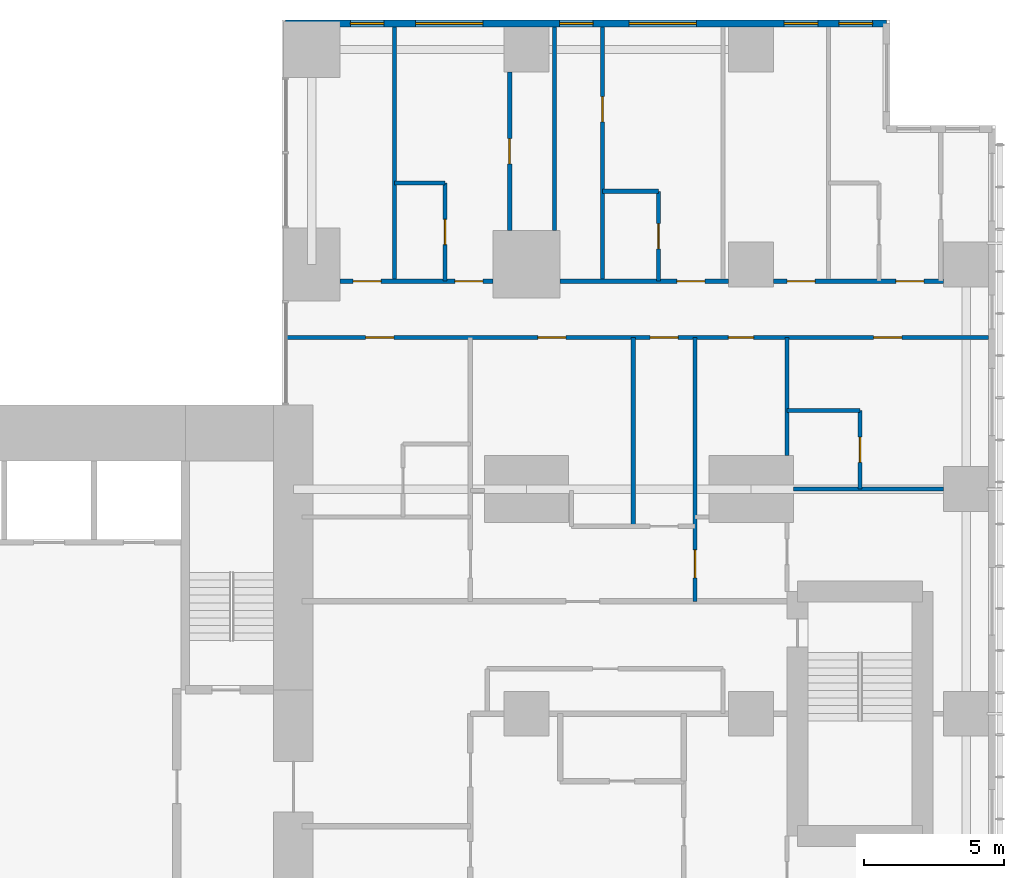
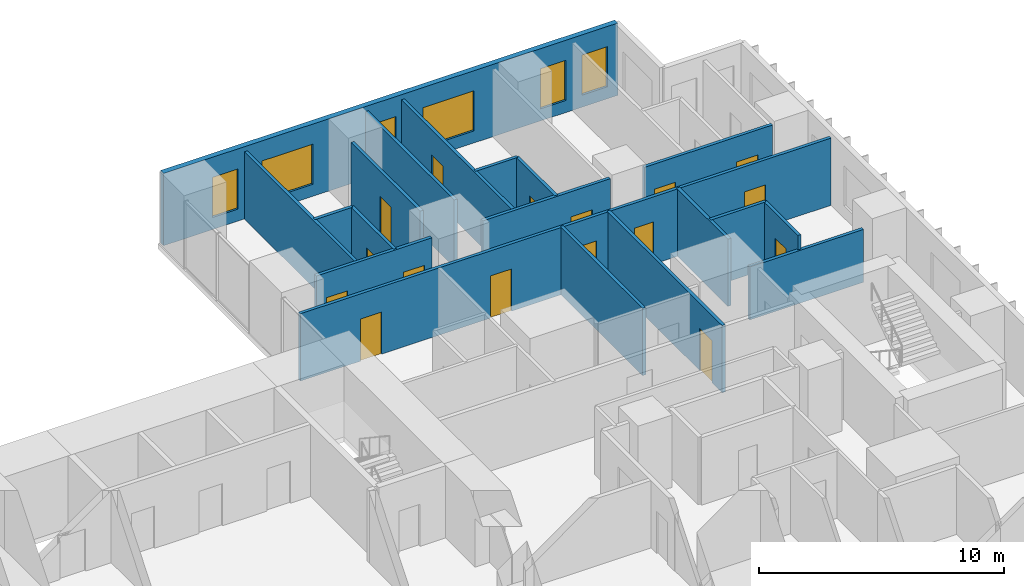
# One storey, part 10 of 12: 19 walls, 16 doors, 6 windows, 22 openings.
"""IFC4 building model written with IfcOpenShell, lengths in metres."""

from ifc_helpers import new_model, si_unit, direction, frame, frame_2d, origin, place, context, subcontext, project, spatial, rectangle, extrude, material, layer, layer_set, type_object, element, fill, save


model = new_model("IFC4")

# Units and contexts
model_context = context("Model", 3, precision=1e-05, world=origin(), true_north=direction((0.0, 1.0)))
body_context = subcontext(model_context, "Body", "Model", "MODEL_VIEW")
ifc_project = project(units=[si_unit("LENGTHUNIT", "METRE"), si_unit("AREAUNIT", "SQUARE_METRE"), si_unit("VOLUMEUNIT", "CUBIC_METRE"), si_unit("PLANEANGLEUNIT", "RADIAN"), si_unit("MASSUNIT", "GRAM", prefix="KILO")], contexts=[model_context])

# Site, building, storey
site_placement = place(None, origin())
site = spatial("IfcSite", under=ifc_project, at=site_placement, CompositionType="ELEMENT")
building_placement = place(site_placement, origin())
building = spatial("IfcBuilding", under=site, at=building_placement, Name="Cleftline Residences", CompositionType="ELEMENT")
storey_placement = place(building_placement, frame((0.0, 0.0, 252.0)))
storey = spatial("IfcBuildingStorey", under=building, at=storey_placement, Name="L66", CompositionType="ELEMENT", Elevation=252.0)

# Wall, openings, windows
ifc_material_1 = material(Name="Rendered reinforced concrete blockwork", Category="masonry")
ifc_layer_1 = layer(ifc_material_1, 0.25)
ifc_layer_set_1 = layer_set([ifc_layer_1], Name="EXTERNAL WALL 250")
wall_type_1 = type_object("IfcWallType", Name="EXTERNAL WALL 250", PredefinedType="SOLIDWALL", material=ifc_layer_set_1)
wall_1_placement = place(storey_placement, frame((62.824951171875, 48.574951171875, 0.0), z_axis=(0.0, 0.0, 1.0), x_axis=(-1.0, 0.0, 0.0)))
wall_1 = element("IfcWall", 1, at=wall_1_placement, inside=storey, type_object=wall_type_1, Name="External wall", PredefinedType="SOLIDWALL", context=body_context, shape_type="SweptSolid", body=[
    extrude(rectangle(XDim=21.39990234375, YDim=0.25, at=frame_2d((10.699951171875, 0.0))), origin(), (0.0, 0.0, 1.0), 3.60009765625),
])
opening_1_placement = place(wall_1_placement, frame((0.5, 0.0, 0.60009765625)))
opening_1 = element("IfcOpeningElement", 2, at=opening_1_placement, cuts=wall_1, Name="Opening W8", PredefinedType="OPENING", context=body_context, shape_type="SweptSolid", body=[
    extrude(rectangle(XDim=1.199951171875, YDim=2.0, at=frame_2d((0.60009765625, 1.0))), frame((0.0, 0.135009765625, 0.0), z_axis=(0.0, -1.0, 0.0), x_axis=(1.0, 0.0, 0.0)), (0.0, 0.0, 1.0), 0.27001953125),
])
opening_2_placement = place(wall_1_placement, frame((2.449951171875, 0.0, 0.60009765625)))
opening_2 = element("IfcOpeningElement", 3, at=opening_2_placement, cuts=wall_1, Name="Opening W8", PredefinedType="OPENING", context=body_context, shape_type="SweptSolid", body=[
    extrude(rectangle(XDim=1.199951171875, YDim=2.0, at=frame_2d((0.60009765625, 1.0))), frame((0.0, 0.135009765625, 0.0), z_axis=(0.0, -1.0, 0.0), x_axis=(1.0, 0.0, 0.0)), (0.0, 0.0, 1.0), 0.27001953125),
])
opening_3_placement = place(wall_1_placement, frame((6.77490234375, 0.0, 0.60009765625)))
opening_3 = element("IfcOpeningElement", 4, at=opening_3_placement, cuts=wall_1, Name="Opening W6", PredefinedType="OPENING", context=body_context, shape_type="SweptSolid", body=[
    extrude(rectangle(XDim=2.39990234375, YDim=2.0, at=frame_2d((1.199951171875, 1.0))), frame((0.0, 0.135009765625, 0.0), z_axis=(0.0, -1.0, 0.0), x_axis=(1.0, 0.0, 0.0)), (0.0, 0.0, 1.0), 0.27001953125),
])
opening_4_placement = place(wall_1_placement, frame((10.449951171875, 0.0, 0.60009765625)))
opening_4 = element("IfcOpeningElement", 5, at=opening_4_placement, cuts=wall_1, Name="Opening W8", PredefinedType="OPENING", context=body_context, shape_type="SweptSolid", body=[
    extrude(rectangle(XDim=1.199951171875, YDim=2.0, at=frame_2d((0.60009765625, 1.0))), frame((0.0, 0.135009765625, 0.0), z_axis=(0.0, -1.0, 0.0), x_axis=(1.0, 0.0, 0.0)), (0.0, 0.0, 1.0), 0.27001953125),
])
opening_5_placement = place(wall_1_placement, frame((14.375, 0.0, 0.60009765625)))
opening_5 = element("IfcOpeningElement", 6, at=opening_5_placement, cuts=wall_1, Name="Opening W6", PredefinedType="OPENING", context=body_context, shape_type="SweptSolid", body=[
    extrude(rectangle(XDim=2.39990234375, YDim=2.0, at=frame_2d((1.199951171875, 1.0))), frame((0.0, 0.135009765625, 0.0), z_axis=(0.0, -1.0, 0.0), x_axis=(1.0, 0.0, 0.0)), (0.0, 0.0, 1.0), 0.27001953125),
])
opening_6_placement = place(wall_1_placement, frame((17.89990234375, 0.0, 0.60009765625)))
opening_6 = element("IfcOpeningElement", 7, at=opening_6_placement, cuts=wall_1, Name="Opening W8", PredefinedType="OPENING", context=body_context, shape_type="SweptSolid", body=[
    extrude(rectangle(XDim=1.199951171875, YDim=2.0, at=frame_2d((0.60009765625, 1.0))), frame((0.0, 0.135009765625, 0.0), z_axis=(0.0, -1.0, 0.0), x_axis=(1.0, 0.0, 0.0)), (0.0, 0.0, 1.0), 0.27001953125),
])
ifc_material_2 = material(Name="Aluminium frame, clear double glazing", Category="aluminium")
window_type_1 = type_object("IfcWindowType", Name="WINDOW 1200X2000", PartitioningType="DOUBLE_PANEL_VERTICAL", PredefinedType="WINDOW", material=ifc_material_2)
window_1_placement = place(opening_1_placement, origin())
window_1 = element("IfcWindow", 8, at=window_1_placement, inside=storey, type_object=window_type_1, Name="Window", OverallHeight=2.0, OverallWidth=1.199951171875, PartitioningType="SINGLE_PANEL", PredefinedType="WINDOW", context=body_context, shape_type="SweptSolid", body=[
    extrude(rectangle(XDim=1.199951171875, YDim=2.0, at=frame_2d((0.60009765625, 1.0))), frame((0.0, 0.030029296875, 0.0), z_axis=(0.0, -1.0, 0.0), x_axis=(1.0, 0.0, 0.0)), (0.0, 0.0, 1.0), 0.06005859375),
])
fill(opening_1, window_1)
window_2_placement = place(opening_2_placement, origin())
window_2 = element("IfcWindow", 9, at=window_2_placement, inside=storey, type_object=window_type_1, Name="Window", OverallHeight=2.0, OverallWidth=1.199951171875, PartitioningType="SINGLE_PANEL", PredefinedType="WINDOW", context=body_context, shape_type="SweptSolid", body=[
    extrude(rectangle(XDim=1.199951171875, YDim=2.0, at=frame_2d((0.60009765625, 1.0))), frame((0.0, 0.030029296875, 0.0), z_axis=(0.0, -1.0, 0.0), x_axis=(1.0, 0.0, 0.0)), (0.0, 0.0, 1.0), 0.06005859375),
])
fill(opening_2, window_2)
window_3_placement = place(opening_4_placement, origin())
window_3 = element("IfcWindow", 10, at=window_3_placement, inside=storey, type_object=window_type_1, Name="Window", OverallHeight=2.0, OverallWidth=1.199951171875, PartitioningType="SINGLE_PANEL", PredefinedType="WINDOW", context=body_context, shape_type="SweptSolid", body=[
    extrude(rectangle(XDim=1.199951171875, YDim=2.0, at=frame_2d((0.60009765625, 1.0))), frame((0.0, 0.030029296875, 0.0), z_axis=(0.0, -1.0, 0.0), x_axis=(1.0, 0.0, 0.0)), (0.0, 0.0, 1.0), 0.06005859375),
])
fill(opening_4, window_3)
window_4_placement = place(opening_6_placement, origin())
window_4 = element("IfcWindow", 11, at=window_4_placement, inside=storey, type_object=window_type_1, Name="Window", OverallHeight=2.0, OverallWidth=1.199951171875, PartitioningType="SINGLE_PANEL", PredefinedType="WINDOW", context=body_context, shape_type="SweptSolid", body=[
    extrude(rectangle(XDim=1.199951171875, YDim=2.0, at=frame_2d((0.60009765625, 1.0))), frame((0.0, 0.030029296875, 0.0), z_axis=(0.0, -1.0, 0.0), x_axis=(1.0, 0.0, 0.0)), (0.0, 0.0, 1.0), 0.06005859375),
])
fill(opening_6, window_4)
ifc_material_3 = material(Name="Aluminium frame, clear double glazing", Category="aluminium")
window_type_2 = type_object("IfcWindowType", Name="WINDOW 2400X2000", PartitioningType="DOUBLE_PANEL_VERTICAL", PredefinedType="WINDOW", material=ifc_material_3)
window_5_placement = place(opening_3_placement, origin())
window_5 = element("IfcWindow", 12, at=window_5_placement, inside=storey, type_object=window_type_2, Name="Window", OverallHeight=2.0, OverallWidth=2.39990234375, PartitioningType="SINGLE_PANEL", PredefinedType="WINDOW", context=body_context, shape_type="SweptSolid", body=[
    extrude(rectangle(XDim=2.39990234375, YDim=2.0, at=frame_2d((1.199951171875, 1.0))), frame((0.0, 0.030029296875, 0.0), z_axis=(0.0, -1.0, 0.0), x_axis=(1.0, 0.0, 0.0)), (0.0, 0.0, 1.0), 0.06005859375),
])
fill(opening_3, window_5)
window_6_placement = place(opening_5_placement, origin())
window_6 = element("IfcWindow", 13, at=window_6_placement, inside=storey, type_object=window_type_2, Name="Window", OverallHeight=2.0, OverallWidth=2.39990234375, PartitioningType="SINGLE_PANEL", PredefinedType="WINDOW", context=body_context, shape_type="SweptSolid", body=[
    extrude(rectangle(XDim=2.39990234375, YDim=2.0, at=frame_2d((1.199951171875, 1.0))), frame((0.0, 0.030029296875, 0.0), z_axis=(0.0, -1.0, 0.0), x_axis=(1.0, 0.0, 0.0)), (0.0, 0.0, 1.0), 0.06005859375),
])
fill(opening_5, window_6)

# Walls
ifc_material_4 = material(Name="Gypsum board on steel studs", Category="steel")
ifc_layer_2 = layer(ifc_material_4, 0.14990234375)
ifc_layer_set_2 = layer_set([ifc_layer_2], Name="PARTITION 150")
wall_type_2 = type_object("IfcWallType", Name="PARTITION 150", PredefinedType="PARTITIONING", material=ifc_layer_set_2)
wall_2_placement = place(storey_placement, frame((59.5, 32.0, 0.0), z_axis=(0.0, 0.0, 1.0), x_axis=(1.0, 0.0, 0.0)))
element("IfcWall", 14, at=wall_2_placement, inside=storey, type_object=wall_type_2, Name="Partition", PredefinedType="PARTITIONING", context=body_context, shape_type="SweptSolid", body=[
    extrude(rectangle(XDim=5.35009765625, YDim=0.14990234375, at=frame_2d((2.675048828125, 0.0))), origin(), (0.0, 0.0, 1.0), 2.634033203125),
])
wall_3_placement = place(storey_placement, frame((59.27490234375, 34.800048828125, 0.0), z_axis=(0.0, 0.0, 1.0), x_axis=(1.0, 0.0, 0.0)))
element("IfcWall", 15, at=wall_3_placement, inside=storey, type_object=wall_type_2, Name="Partition", PredefinedType="PARTITIONING", context=body_context, shape_type="SweptSolid", body=[
    extrude(rectangle(XDim=2.60009765625, YDim=0.14990234375, at=frame_2d((1.300048828125, 0.0))), origin(), (0.0, 0.0, 1.0), 3.35009765625),
])

# Wall, openings, doors
wall_4_placement = place(storey_placement, frame((41.43896484375, 37.39990234375, 0.0), z_axis=(0.0, 0.0, 1.0), x_axis=(1.0, 0.0, 0.0)))
wall_4 = element("IfcWall", 16, at=wall_4_placement, inside=storey, type_object=wall_type_2, Name="Partition", PredefinedType="PARTITIONING", context=body_context, shape_type="SweptSolid", body=[
    extrude(rectangle(XDim=25.010986328125, YDim=0.14990234375, at=frame_2d((12.50537109375, 0.0))), origin(), (0.0, 0.0, 1.0), 3.35009765625),
])
opening_7_placement = place(wall_4_placement, frame((12.9609375, 0.0, 0.0)))
opening_7 = element("IfcOpeningElement", 17, at=opening_7_placement, cuts=wall_4, Name="Opening D2F30", PredefinedType="OPENING", context=body_context, shape_type="SweptSolid", body=[
    extrude(rectangle(XDim=1.0, YDim=2.10009765625, at=frame_2d((0.5, 1.050048828125))), frame((0.0, 0.0849609375, 0.0), z_axis=(0.0, -1.0, 0.0), x_axis=(1.0, 0.0, 0.0)), (0.0, 0.0, 1.0), 0.169921875),
])
opening_8_placement = place(wall_4_placement, frame((20.923583984375, 0.0, 0.0)))
opening_8 = element("IfcOpeningElement", 18, at=opening_8_placement, cuts=wall_4, Name="Opening D2F30", PredefinedType="OPENING", context=body_context, shape_type="SweptSolid", body=[
    extrude(rectangle(XDim=1.0, YDim=2.10009765625, at=frame_2d((0.5, 1.050048828125))), frame((0.0, 0.0849609375, 0.0), z_axis=(0.0, -1.0, 0.0), x_axis=(1.0, 0.0, 0.0)), (0.0, 0.0, 1.0), 0.169921875),
])
opening_9_placement = place(wall_4_placement, frame((15.74853515625, 0.0, 0.0)))
opening_9 = element("IfcOpeningElement", 19, at=opening_9_placement, cuts=wall_4, Name="Opening D1F30", PredefinedType="OPENING", context=body_context, shape_type="SweptSolid", body=[
    extrude(rectangle(XDim=0.89990234375, YDim=2.10009765625, at=frame_2d((0.449951171875, 1.050048828125))), frame((0.0, 0.0849609375, 0.0), z_axis=(0.0, -1.0, 0.0), x_axis=(1.0, 0.0, 0.0)), (0.0, 0.0, 1.0), 0.169921875),
])
opening_10_placement = place(wall_4_placement, frame((8.9609375, 0.0, 0.0)))
opening_10 = element("IfcOpeningElement", 20, at=opening_10_placement, cuts=wall_4, Name="Opening D2F30", PredefinedType="OPENING", context=body_context, shape_type="SweptSolid", body=[
    extrude(rectangle(XDim=1.0, YDim=2.10009765625, at=frame_2d((0.5, 1.050048828125))), frame((0.0, 0.0849609375, 0.0), z_axis=(0.0, -1.0, 0.0), x_axis=(1.0, 0.0, 0.0)), (0.0, 0.0, 1.0), 0.169921875),
])
opening_11_placement = place(wall_4_placement, frame((2.8359375, 0.0, 0.0)))
opening_11 = element("IfcOpeningElement", 21, at=opening_11_placement, cuts=wall_4, Name="Opening D2F30", PredefinedType="OPENING", context=body_context, shape_type="SweptSolid", body=[
    extrude(rectangle(XDim=1.0, YDim=2.10009765625, at=frame_2d((0.5, 1.050048828125))), frame((0.0, 0.0849609375, 0.0), z_axis=(0.0, -1.0, 0.0), x_axis=(1.0, 0.0, 0.0)), (0.0, 0.0, 1.0), 0.169921875),
])
ifc_material_5 = material(Name="Timber veneer on solid core", Category="wood")
door_type_1 = type_object("IfcDoorType", Name="DOOR 1000X2100 EI 30", OperationType="SINGLE_SWING_LEFT", PredefinedType="DOOR", material=ifc_material_5)
door_1_placement = place(opening_7_placement, origin())
door_1 = element("IfcDoor", 22, at=door_1_placement, inside=storey, type_object=door_type_1, Name="Door to residence corridor (bedrooms)", OperationType="SINGLE_SWING_LEFT", OverallHeight=2.10009765625, OverallWidth=1.0, PredefinedType="DOOR", context=body_context, shape_type="SweptSolid", body=[
    extrude(rectangle(XDim=1.0, YDim=2.10009765625, at=frame_2d((0.5, 1.050048828125))), frame((0.0, 0.02490234375, 0.0), z_axis=(0.0, -1.0, 0.0), x_axis=(1.0, 0.0, 0.0)), (0.0, 0.0, 1.0), 0.050048828125),
])
fill(opening_7, door_1)
door_2_placement = place(opening_8_placement, origin())
door_2 = element("IfcDoor", 23, at=door_2_placement, inside=storey, type_object=door_type_1, Name="Door to master bedroom", OperationType="SINGLE_SWING_LEFT", OverallHeight=2.10009765625, OverallWidth=1.0, PredefinedType="DOOR", context=body_context, shape_type="SweptSolid", body=[
    extrude(rectangle(XDim=1.0, YDim=2.10009765625, at=frame_2d((0.5, 1.050048828125))), frame((0.0, 0.02490234375, 0.0), z_axis=(0.0, -1.0, 0.0), x_axis=(1.0, 0.0, 0.0)), (0.0, 0.0, 1.0), 0.050048828125),
])
fill(opening_8, door_2)
door_3_placement = place(opening_10_placement, origin())
door_3 = element("IfcDoor", 24, at=door_3_placement, inside=storey, type_object=door_type_1, Name="Door to family room", OperationType="SINGLE_SWING_RIGHT", OverallHeight=2.10009765625, OverallWidth=1.0, PredefinedType="DOOR", context=body_context, shape_type="SweptSolid", body=[
    extrude(rectangle(XDim=1.0, YDim=2.10009765625, at=frame_2d((0.5, 1.050048828125))), frame((0.0, 0.02490234375, 0.0), z_axis=(0.0, -1.0, 0.0), x_axis=(1.0, 0.0, 0.0)), (0.0, 0.0, 1.0), 0.050048828125),
])
fill(opening_10, door_3)
door_4_placement = place(opening_11_placement, origin())
door_4 = element("IfcDoor", 25, at=door_4_placement, inside=storey, type_object=door_type_1, Name="Door to bedroom 5", OperationType="SINGLE_SWING_RIGHT", OverallHeight=2.10009765625, OverallWidth=1.0, PredefinedType="DOOR", context=body_context, shape_type="SweptSolid", body=[
    extrude(rectangle(XDim=1.0, YDim=2.10009765625, at=frame_2d((0.5, 1.050048828125))), frame((0.0, 0.02490234375, 0.0), z_axis=(0.0, -1.0, 0.0), x_axis=(1.0, 0.0, 0.0)), (0.0, 0.0, 1.0), 0.050048828125),
])
fill(opening_11, door_4)
ifc_material_6 = material(Name="Timber veneer on solid core", Category="wood")
door_type_2 = type_object("IfcDoorType", Name="DOOR 900X2100 EI 30", OperationType="SINGLE_SWING_LEFT", PredefinedType="DOOR", material=ifc_material_6)
door_5_placement = place(opening_9_placement, origin())
door_5 = element("IfcDoor", 26, at=door_5_placement, inside=storey, type_object=door_type_2, Name="Door to master bathroom", OperationType="SINGLE_SWING_LEFT", OverallHeight=2.10009765625, OverallWidth=0.89990234375, PredefinedType="DOOR", context=body_context, shape_type="SweptSolid", body=[
    extrude(rectangle(XDim=0.89990234375, YDim=2.10009765625, at=frame_2d((0.449951171875, 1.050048828125))), frame((0.0, 0.02490234375, 0.0), z_axis=(0.0, -1.0, 0.0), x_axis=(1.0, 0.0, 0.0)), (0.0, 0.0, 1.0), 0.050048828125),
])
fill(opening_9, door_5)

wall_5_placement = place(storey_placement, frame((43.35009765625, 39.39990234375, 0.0), z_axis=(0.0, 0.0, 1.0), x_axis=(1.0, 0.0, 0.0)))
wall_5 = element("IfcWall", 27, at=wall_5_placement, inside=storey, type_object=wall_type_2, Name="Partition", PredefinedType="PARTITIONING", context=body_context, shape_type="SweptSolid", body=[
    extrude(rectangle(XDim=5.449951171875, YDim=0.14990234375, at=frame_2d((2.72509765625, 0.0))), origin(), (0.0, 0.0, 1.0), 3.35009765625),
])
opening_12_placement = place(wall_5_placement, frame((4.10009765625, 0.0, 0.0)))
opening_12 = element("IfcOpeningElement", 28, at=opening_12_placement, cuts=wall_5, Name="Opening D2", PredefinedType="OPENING", context=body_context, shape_type="SweptSolid", body=[
    extrude(rectangle(XDim=1.0, YDim=2.10009765625, at=frame_2d((0.5, 1.050048828125))), frame((0.0, 0.0849609375, 0.0), z_axis=(0.0, -1.0, 0.0), x_axis=(1.0, 0.0, 0.0)), (0.0, 0.0, 1.0), 0.169921875),
])
opening_13_placement = place(wall_5_placement, frame((0.47509765625, 0.0, 0.0)))
opening_13 = element("IfcOpeningElement", 29, at=opening_13_placement, cuts=wall_5, Name="Opening D2", PredefinedType="OPENING", context=body_context, shape_type="SweptSolid", body=[
    extrude(rectangle(XDim=1.0, YDim=2.10009765625, at=frame_2d((0.5, 1.050048828125))), frame((0.0, 0.0849609375, 0.0), z_axis=(0.0, -1.0, 0.0), x_axis=(1.0, 0.0, 0.0)), (0.0, 0.0, 1.0), 0.169921875),
])
ifc_material_7 = material(Name="Timber veneer on solid core", Category="wood")
door_type_3 = type_object("IfcDoorType", Name="DOOR 1000X2100", OperationType="SINGLE_SWING_LEFT", PredefinedType="DOOR", material=ifc_material_7)
door_6_placement = place(opening_12_placement, origin())
door_6 = element("IfcDoor", 30, at=door_6_placement, inside=storey, type_object=door_type_3, Name="Door to bedroom 4", OperationType="SINGLE_SWING_LEFT", OverallHeight=2.10009765625, OverallWidth=1.0, PredefinedType="DOOR", context=body_context, shape_type="SweptSolid", body=[
    extrude(rectangle(XDim=1.0, YDim=2.10009765625, at=frame_2d((0.5, 1.050048828125))), frame((0.0, 0.02490234375, 0.0), z_axis=(0.0, -1.0, 0.0), x_axis=(1.0, 0.0, 0.0)), (0.0, 0.0, 1.0), 0.050048828125),
])
fill(opening_12, door_6)
door_7_placement = place(opening_13_placement, origin())
door_7 = element("IfcDoor", 31, at=door_7_placement, inside=storey, type_object=door_type_3, Name="Door to gym", OperationType="SINGLE_SWING_RIGHT", OverallHeight=2.10009765625, OverallWidth=1.0, PredefinedType="DOOR", context=body_context, shape_type="SweptSolid", body=[
    extrude(rectangle(XDim=1.0, YDim=2.10009765625, at=frame_2d((0.5, 1.050048828125))), frame((0.0, 0.02490234375, 0.0), z_axis=(0.0, -1.0, 0.0), x_axis=(1.0, 0.0, 0.0)), (0.0, 0.0, 1.0), 0.050048828125),
])
fill(opening_13, door_7)

# Wall, opening, door
wall_6_placement = place(storey_placement, frame((51.199951171875, 39.39990234375, 0.0), z_axis=(0.0, 0.0, 1.0), x_axis=(1.0, 0.0, 0.0)))
wall_6 = element("IfcWall", 32, at=wall_6_placement, inside=storey, type_object=wall_type_2, Name="Partition", PredefinedType="PARTITIONING", context=body_context, shape_type="SweptSolid", body=[
    extrude(rectangle(XDim=6.0, YDim=0.14990234375, at=frame_2d((3.0, 0.0))), origin(), (0.0, 0.0, 1.0), 3.35009765625),
])
opening_14_placement = place(wall_6_placement, frame((4.14990234375, 0.0, 0.0)))
opening_14 = element("IfcOpeningElement", 33, at=opening_14_placement, cuts=wall_6, Name="Opening D2", PredefinedType="OPENING", context=body_context, shape_type="SweptSolid", body=[
    extrude(rectangle(XDim=1.0, YDim=2.10009765625, at=frame_2d((0.5, 1.050048828125))), frame((0.0, 0.0849609375, 0.0), z_axis=(0.0, -1.0, 0.0), x_axis=(1.0, 0.0, 0.0)), (0.0, 0.0, 1.0), 0.169921875),
])
door_8_placement = place(opening_14_placement, origin())
door_8 = element("IfcDoor", 34, at=door_8_placement, inside=storey, type_object=door_type_3, Name="Door to bedroom 3", OperationType="SINGLE_SWING_LEFT", OverallHeight=2.10009765625, OverallWidth=1.0, PredefinedType="DOOR", context=body_context, shape_type="SweptSolid", body=[
    extrude(rectangle(XDim=1.0, YDim=2.10009765625, at=frame_2d((0.5, 1.050048828125))), frame((0.0, 0.02490234375, 0.0), z_axis=(0.0, -1.0, 0.0), x_axis=(1.0, 0.0, 0.0)), (0.0, 0.0, 1.0), 0.050048828125),
])
fill(opening_14, door_8)

# Wall, openings, doors
wall_7_placement = place(storey_placement, frame((58.800048828125, 39.39990234375, 0.0), z_axis=(0.0, 0.0, 1.0), x_axis=(1.0, 0.0, 0.0)))
wall_7 = element("IfcWall", 35, at=wall_7_placement, inside=storey, type_object=wall_type_2, Name="Partition", PredefinedType="PARTITIONING", context=body_context, shape_type="SweptSolid", body=[
    extrude(rectangle(XDim=6.050048828125, YDim=0.14990234375, at=frame_2d((3.02490234375, 0.0))), origin(), (0.0, 0.0, 1.0), 3.35009765625),
])
opening_15_placement = place(wall_7_placement, frame((4.35009765625, 0.0, 0.0)))
opening_15 = element("IfcOpeningElement", 36, at=opening_15_placement, cuts=wall_7, Name="Opening D2", PredefinedType="OPENING", context=body_context, shape_type="SweptSolid", body=[
    extrude(rectangle(XDim=1.0, YDim=2.10009765625, at=frame_2d((0.5, 1.050048828125))), frame((0.0, 0.0849609375, 0.0), z_axis=(0.0, -1.0, 0.0), x_axis=(1.0, 0.0, 0.0)), (0.0, 0.0, 1.0), 0.169921875),
])
opening_16_placement = place(wall_7_placement, frame((0.47509765625, 0.0, 0.0)))
opening_16 = element("IfcOpeningElement", 37, at=opening_16_placement, cuts=wall_7, Name="Opening D2", PredefinedType="OPENING", context=body_context, shape_type="SweptSolid", body=[
    extrude(rectangle(XDim=1.0, YDim=2.10009765625, at=frame_2d((0.5, 1.050048828125))), frame((0.0, 0.0849609375, 0.0), z_axis=(0.0, -1.0, 0.0), x_axis=(1.0, 0.0, 0.0)), (0.0, 0.0, 1.0), 0.169921875),
])
door_9_placement = place(opening_15_placement, origin())
door_9 = element("IfcDoor", 38, at=door_9_placement, inside=storey, type_object=door_type_3, Name="Door to bedroom 2", OperationType="SINGLE_SWING_LEFT", OverallHeight=2.10009765625, OverallWidth=1.0, PredefinedType="DOOR", context=body_context, shape_type="SweptSolid", body=[
    extrude(rectangle(XDim=1.0, YDim=2.10009765625, at=frame_2d((0.5, 1.050048828125))), frame((0.0, 0.02490234375, 0.0), z_axis=(0.0, -1.0, 0.0), x_axis=(1.0, 0.0, 0.0)), (0.0, 0.0, 1.0), 0.050048828125),
])
fill(opening_15, door_9)
door_10_placement = place(opening_16_placement, origin())
door_10 = element("IfcDoor", 39, at=door_10_placement, inside=storey, type_object=door_type_3, Name="Door to bedroom 2 sitting room", OperationType="SINGLE_SWING_RIGHT", OverallHeight=2.10009765625, OverallWidth=1.0, PredefinedType="DOOR", context=body_context, shape_type="SweptSolid", body=[
    extrude(rectangle(XDim=1.0, YDim=2.10009765625, at=frame_2d((0.5, 1.050048828125))), frame((0.0, 0.02490234375, 0.0), z_axis=(0.0, -1.0, 0.0), x_axis=(1.0, 0.0, 0.0)), (0.0, 0.0, 1.0), 0.050048828125),
])
fill(opening_16, door_10)

# Walls
wall_8_placement = place(storey_placement, frame((52.699951171875, 42.60009765625, 0.0), z_axis=(0.0, 0.0, 1.0), x_axis=(1.0, 0.0, 0.0)))
element("IfcWall", 40, at=wall_8_placement, inside=storey, type_object=wall_type_2, Name="Partition", PredefinedType="PARTITIONING", context=body_context, shape_type="SweptSolid", body=[
    extrude(rectangle(XDim=2.0, YDim=0.14990234375, at=frame_2d((1.0, 0.0))), origin(), (0.0, 0.0, 1.0), 3.35009765625),
])
wall_9_placement = place(storey_placement, frame((45.300048828125, 42.89990234375, 0.0), z_axis=(0.0, 0.0, 1.0), x_axis=(1.0, 0.0, 0.0)))
element("IfcWall", 41, at=wall_9_placement, inside=storey, type_object=wall_type_2, Name="Partition", PredefinedType="PARTITIONING", context=body_context, shape_type="SweptSolid", body=[
    extrude(rectangle(XDim=1.800048828125, YDim=0.14990234375, at=frame_2d((0.89990234375, 0.0))), origin(), (0.0, 0.0, 1.0), 3.35009765625),
])
wall_10_placement = place(storey_placement, frame((45.300048828125, 39.39990234375, 0.0), z_axis=(0.0, 0.0, 1.0), x_axis=(0.0, 1.0, 0.0)))
element("IfcWall", 42, at=wall_10_placement, inside=storey, type_object=wall_type_2, Name="Partition", PredefinedType="PARTITIONING", context=body_context, shape_type="SweptSolid", body=[
    extrude(rectangle(XDim=9.050048828125, YDim=0.14990234375, at=frame_2d((4.52490234375, 0.0))), origin(), (0.0, 0.0, 1.0), 3.35009765625),
])

# Wall, opening, door
wall_11_placement = place(storey_placement, frame((47.10009765625, 39.39990234375, 0.0), z_axis=(0.0, 0.0, 1.0), x_axis=(0.0, 1.0, 0.0)))
wall_11 = element("IfcWall", 43, at=wall_11_placement, inside=storey, type_object=wall_type_2, Name="Partition", PredefinedType="PARTITIONING", context=body_context, shape_type="SweptSolid", body=[
    extrude(rectangle(XDim=3.5, YDim=0.14990234375, at=frame_2d((1.75, 0.0))), origin(), (0.0, 0.0, 1.0), 3.35009765625),
])
opening_17_placement = place(wall_11_placement, frame((1.300048828125, 0.0, 0.0)))
opening_17 = element("IfcOpeningElement", 44, at=opening_17_placement, cuts=wall_11, Name="Opening D1", PredefinedType="OPENING", context=body_context, shape_type="SweptSolid", body=[
    extrude(rectangle(XDim=0.89990234375, YDim=2.10009765625, at=frame_2d((0.449951171875, 1.050048828125))), frame((0.0, 0.0849609375, 0.0), z_axis=(0.0, -1.0, 0.0), x_axis=(1.0, 0.0, 0.0)), (0.0, 0.0, 1.0), 0.169921875),
])
ifc_material_8 = material(Name="Timber veneer on solid core", Category="wood")
door_type_4 = type_object("IfcDoorType", Name="DOOR 900X2100", OperationType="SINGLE_SWING_LEFT", PredefinedType="DOOR", material=ifc_material_8)
door_11_placement = place(opening_17_placement, origin())
door_11 = element("IfcDoor", 45, at=door_11_placement, inside=storey, type_object=door_type_4, Name="Door to en-suite bathroom 4", OperationType="SINGLE_SWING_LEFT", OverallHeight=2.10009765625, OverallWidth=0.89990234375, PredefinedType="DOOR", context=body_context, shape_type="SweptSolid", body=[
    extrude(rectangle(XDim=0.89990234375, YDim=2.10009765625, at=frame_2d((0.449951171875, 1.050048828125))), frame((0.0, 0.02490234375, 0.0), z_axis=(0.0, -1.0, 0.0), x_axis=(1.0, 0.0, 0.0)), (0.0, 0.0, 1.0), 0.050048828125),
])
fill(opening_17, door_11)

wall_12_placement = place(storey_placement, frame((49.39990234375, 41.199951171875, 0.0), z_axis=(0.0, 0.0, 1.0), x_axis=(0.0, 1.0, 0.0)))
wall_12 = element("IfcWall", 46, at=wall_12_placement, inside=storey, type_object=wall_type_2, Name="Partition", PredefinedType="PARTITIONING", context=body_context, shape_type="SweptSolid", body=[
    extrude(rectangle(XDim=5.650146484375, YDim=0.14990234375, at=frame_2d((2.8251953125, 0.0))), origin(), (0.0, 0.0, 1.0), 3.35009765625),
])
opening_18_placement = place(wall_12_placement, frame((2.375, 0.0, 0.0)))
opening_18 = element("IfcOpeningElement", 47, at=opening_18_placement, cuts=wall_12, Name="Opening D1", PredefinedType="OPENING", context=body_context, shape_type="SweptSolid", body=[
    extrude(rectangle(XDim=0.89990234375, YDim=2.10009765625, at=frame_2d((0.449951171875, 1.050048828125))), frame((0.0, 0.0849609375, 0.0), z_axis=(0.0, -1.0, 0.0), x_axis=(1.0, 0.0, 0.0)), (0.0, 0.0, 1.0), 0.169921875),
])
door_12_placement = place(opening_18_placement, origin())
door_12 = element("IfcDoor", 48, at=door_12_placement, inside=storey, type_object=door_type_4, Name="Door to walk-in wardrobe", OperationType="SINGLE_SWING_LEFT", OverallHeight=2.10009765625, OverallWidth=0.89990234375, PredefinedType="DOOR", context=body_context, shape_type="SweptSolid", body=[
    extrude(rectangle(XDim=0.89990234375, YDim=2.10009765625, at=frame_2d((0.449951171875, 1.050048828125))), frame((0.0, 0.02490234375, 0.0), z_axis=(0.0, -1.0, 0.0), x_axis=(1.0, 0.0, 0.0)), (0.0, 0.0, 1.0), 0.050048828125),
])
fill(opening_18, door_12)

# Wall
wall_13_placement = place(storey_placement, frame((51.0, 41.199951171875, 0.0), z_axis=(0.0, 0.0, 1.0), x_axis=(0.0, 1.0, 0.0)))
element("IfcWall", 49, at=wall_13_placement, inside=storey, type_object=wall_type_2, Name="Partition", PredefinedType="PARTITIONING", context=body_context, shape_type="SweptSolid", body=[
    extrude(rectangle(XDim=7.25, YDim=0.14990234375, at=frame_2d((3.625, 0.0))), origin(), (0.0, 0.0, 1.0), 3.35009765625),
])

# Wall, opening, door
wall_14_placement = place(storey_placement, frame((52.699951171875, 39.39990234375, 0.0), z_axis=(0.0, 0.0, 1.0), x_axis=(0.0, 1.0, 0.0)))
wall_14 = element("IfcWall", 50, at=wall_14_placement, inside=storey, type_object=wall_type_2, Name="Partition", PredefinedType="PARTITIONING", context=body_context, shape_type="SweptSolid", body=[
    extrude(rectangle(XDim=9.050048828125, YDim=0.14990234375, at=frame_2d((4.52490234375, 0.0))), origin(), (0.0, 0.0, 1.0), 3.35009765625),
])
opening_19_placement = place(wall_14_placement, frame((5.675048828125, 0.0, 0.0)))
opening_19 = element("IfcOpeningElement", 51, at=opening_19_placement, cuts=wall_14, Name="Opening D1", PredefinedType="OPENING", context=body_context, shape_type="SweptSolid", body=[
    extrude(rectangle(XDim=0.89990234375, YDim=2.10009765625, at=frame_2d((0.449951171875, 1.050048828125))), frame((0.0, 0.0849609375, 0.0), z_axis=(0.0, -1.0, 0.0), x_axis=(1.0, 0.0, 0.0)), (0.0, 0.0, 1.0), 0.169921875),
])
door_13_placement = place(opening_19_placement, origin())
door_13 = element("IfcDoor", 52, at=door_13_placement, inside=storey, type_object=door_type_4, Name="Door to walk-in wardrobe", OperationType="SINGLE_SWING_LEFT", OverallHeight=2.10009765625, OverallWidth=0.89990234375, PredefinedType="DOOR", context=body_context, shape_type="SweptSolid", body=[
    extrude(rectangle(XDim=0.89990234375, YDim=2.10009765625, at=frame_2d((0.449951171875, 1.050048828125))), frame((0.0, 0.02490234375, 0.0), z_axis=(0.0, -1.0, 0.0), x_axis=(1.0, 0.0, 0.0)), (0.0, 0.0, 1.0), 0.050048828125),
])
fill(opening_19, door_13)

# Wall
wall_15_placement = place(storey_placement, frame((53.800048828125, 30.675048828125, 0.0), z_axis=(0.0, 0.0, 1.0), x_axis=(0.0, 1.0, 0.0)))
element("IfcWall", 53, at=wall_15_placement, inside=storey, type_object=wall_type_2, Name="Partition", PredefinedType="PARTITIONING", context=body_context, shape_type="SweptSolid", body=[
    extrude(rectangle(XDim=6.724853515625, YDim=0.14990234375, at=frame_2d((3.3623046875, 0.0))), origin(), (0.0, 0.0, 1.0), 3.35009765625),
])

# Wall, opening, door
wall_16_placement = place(storey_placement, frame((54.699951171875, 39.39990234375, 0.0), z_axis=(0.0, 0.0, 1.0), x_axis=(0.0, 1.0, 0.0)))
wall_16 = element("IfcWall", 54, at=wall_16_placement, inside=storey, type_object=wall_type_2, Name="Partition", PredefinedType="PARTITIONING", context=body_context, shape_type="SweptSolid", body=[
    extrude(rectangle(XDim=3.2001953125, YDim=0.14990234375, at=frame_2d((1.60009765625, 0.0))), origin(), (0.0, 0.0, 1.0), 3.35009765625),
])
opening_20_placement = place(wall_16_placement, frame((1.14990234375, 0.0, 0.0)))
opening_20 = element("IfcOpeningElement", 55, at=opening_20_placement, cuts=wall_16, Name="Opening D1", PredefinedType="OPENING", context=body_context, shape_type="SweptSolid", body=[
    extrude(rectangle(XDim=0.89990234375, YDim=2.10009765625, at=frame_2d((0.449951171875, 1.050048828125))), frame((0.0, 0.0849609375, 0.0), z_axis=(0.0, -1.0, 0.0), x_axis=(1.0, 0.0, 0.0)), (0.0, 0.0, 1.0), 0.169921875),
])
door_14_placement = place(opening_20_placement, origin())
door_14 = element("IfcDoor", 56, at=door_14_placement, inside=storey, type_object=door_type_4, Name="Door to en-suite bathroom 3", OperationType="SINGLE_SWING_LEFT", OverallHeight=2.10009765625, OverallWidth=0.89990234375, PredefinedType="DOOR", context=body_context, shape_type="SweptSolid", body=[
    extrude(rectangle(XDim=0.89990234375, YDim=2.10009765625, at=frame_2d((0.449951171875, 1.050048828125))), frame((0.0, 0.02490234375, 0.0), z_axis=(0.0, -1.0, 0.0), x_axis=(1.0, 0.0, 0.0)), (0.0, 0.0, 1.0), 0.050048828125),
])
fill(opening_20, door_14)

wall_17_placement = place(storey_placement, frame((56.0, 28.0, 0.0), z_axis=(0.0, 0.0, 1.0), x_axis=(0.0, 1.0, 0.0)))
wall_17 = element("IfcWall", 57, at=wall_17_placement, inside=storey, type_object=wall_type_2, Name="Partition", PredefinedType="PARTITIONING", context=body_context, shape_type="SweptSolid", body=[
    extrude(rectangle(XDim=9.39990234375, YDim=0.14990234375, at=frame_2d((4.699951171875, 0.0))), origin(), (0.0, 0.0, 1.0), 3.35009765625),
])
opening_21_placement = place(wall_17_placement, frame((0.83740234375, 0.0, 0.0)))
opening_21 = element("IfcOpeningElement", 58, at=opening_21_placement, cuts=wall_17, Name="Opening D2F30", PredefinedType="OPENING", context=body_context, shape_type="SweptSolid", body=[
    extrude(rectangle(XDim=1.0, YDim=2.10009765625, at=frame_2d((0.5, 1.050048828125))), frame((0.0, 0.0849609375, 0.0), z_axis=(0.0, -1.0, 0.0), x_axis=(1.0, 0.0, 0.0)), (0.0, 0.0, 1.0), 0.169921875),
])
door_15_placement = place(opening_21_placement, origin())
door_15 = element("IfcDoor", 59, at=door_15_placement, inside=storey, type_object=door_type_1, Name="Door to residence lobby (service)", OperationType="SINGLE_SWING_RIGHT", OverallHeight=2.10009765625, OverallWidth=1.0, PredefinedType="DOOR", context=body_context, shape_type="SweptSolid", body=[
    extrude(rectangle(XDim=1.0, YDim=2.10009765625, at=frame_2d((0.5, 1.050048828125))), frame((0.0, 0.02490234375, 0.0), z_axis=(0.0, -1.0, 0.0), x_axis=(1.0, 0.0, 0.0)), (0.0, 0.0, 1.0), 0.050048828125),
])
fill(opening_21, door_15)

# Wall
wall_18_placement = place(storey_placement, frame((59.27490234375, 33.199951171875, 0.0), z_axis=(0.0, 0.0, 1.0), x_axis=(0.0, 1.0, 0.0)))
element("IfcWall", 60, at=wall_18_placement, inside=storey, type_object=wall_type_2, Name="Partition", PredefinedType="PARTITIONING", context=body_context, shape_type="SweptSolid", body=[
    extrude(rectangle(XDim=4.199951171875, YDim=0.14990234375, at=frame_2d((2.10009765625, 0.0))), origin(), (0.0, 0.0, 1.0), 3.35009765625),
])

# Wall, opening, door
wall_19_placement = place(storey_placement, frame((61.875, 32.0, 0.0), z_axis=(0.0, 0.0, 1.0), x_axis=(0.0, 1.0, 0.0)))
wall_19 = element("IfcWall", 61, at=wall_19_placement, inside=storey, type_object=wall_type_2, Name="Partition", PredefinedType="PARTITIONING", context=body_context, shape_type="SweptSolid", body=[
    extrude(rectangle(XDim=2.800048828125, YDim=0.14990234375, at=frame_2d((1.39990234375, 0.0))), origin(), (0.0, 0.0, 1.0), 3.35009765625),
])
opening_22_placement = place(wall_19_placement, frame((0.949951171875, 0.0, 0.0)))
opening_22 = element("IfcOpeningElement", 62, at=opening_22_placement, cuts=wall_19, Name="Opening D1", PredefinedType="OPENING", context=body_context, shape_type="SweptSolid", body=[
    extrude(rectangle(XDim=0.89990234375, YDim=2.10009765625, at=frame_2d((0.449951171875, 1.050048828125))), frame((0.0, 0.0849609375, 0.0), z_axis=(0.0, -1.0, 0.0), x_axis=(1.0, 0.0, 0.0)), (0.0, 0.0, 1.0), 0.169921875),
])
door_16_placement = place(opening_22_placement, origin())
door_16 = element("IfcDoor", 63, at=door_16_placement, inside=storey, type_object=door_type_4, Name="Door to master bathroom", OperationType="SINGLE_SWING_LEFT", OverallHeight=2.10009765625, OverallWidth=0.89990234375, PredefinedType="DOOR", context=body_context, shape_type="SweptSolid", body=[
    extrude(rectangle(XDim=0.89990234375, YDim=2.10009765625, at=frame_2d((0.449951171875, 1.050048828125))), frame((0.0, 0.02490234375, 0.0), z_axis=(0.0, -1.0, 0.0), x_axis=(1.0, 0.0, 0.0)), (0.0, 0.0, 1.0), 0.050048828125),
])
fill(opening_22, door_16)

save(model, "model.ifc")
